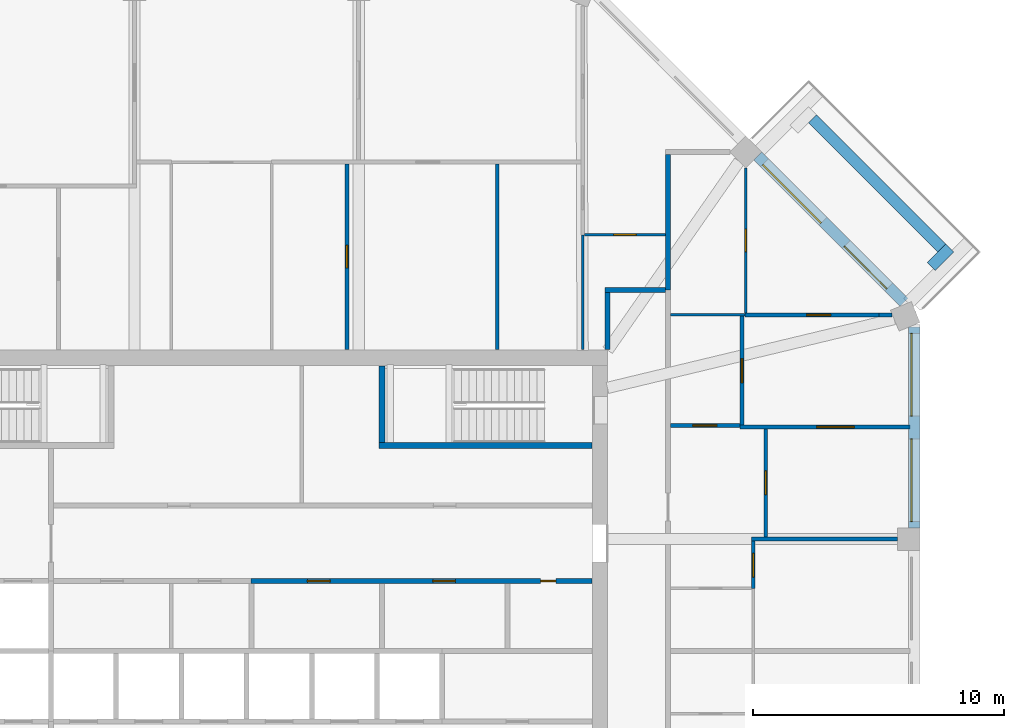
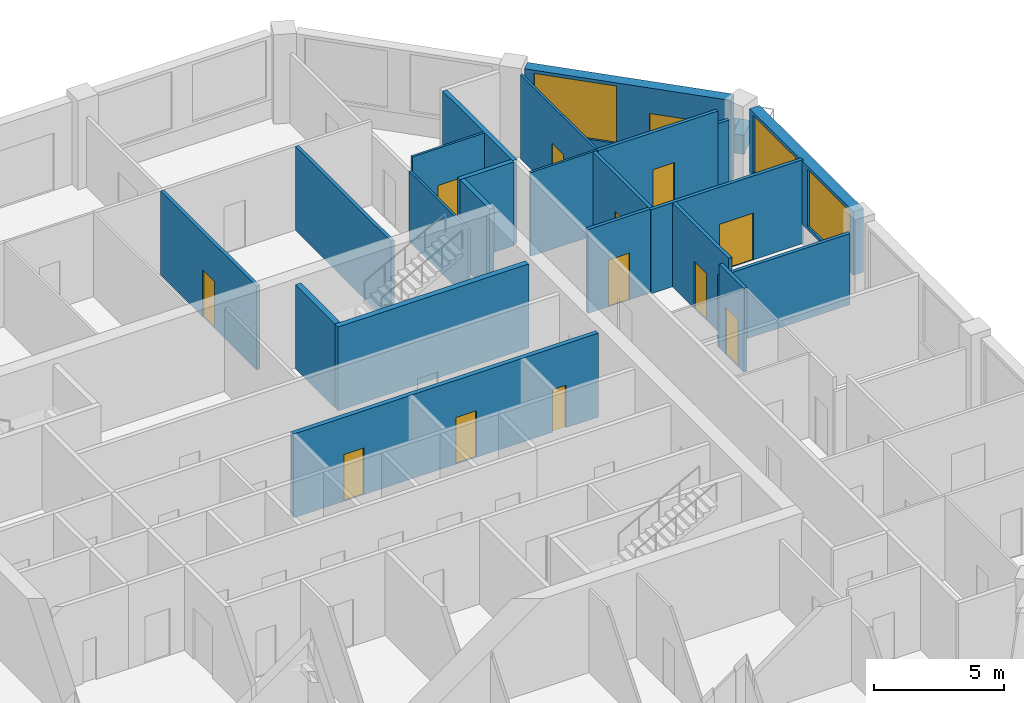
# One storey, part 9 of 11: 24 walls, 13 doors, 3 windows, 16 openings.
"""IFC4 building model written with IfcOpenShell, lengths in metres."""

from ifc_helpers import new_model, si_unit, direction, frame, frame_2d, origin, place, context, subcontext, project, spatial, rectangle, extrude, material, layer, layer_set, type_object, element, fill, save


model = new_model("IFC4")

# Units and contexts
model_context = context("Model", 3, precision=1e-05, world=origin(), true_north=direction((0.0, 1.0)))
body_context = subcontext(model_context, "Body", "Model", "MODEL_VIEW")
ifc_project = project(units=[si_unit("LENGTHUNIT", "METRE"), si_unit("AREAUNIT", "SQUARE_METRE"), si_unit("VOLUMEUNIT", "CUBIC_METRE"), si_unit("PLANEANGLEUNIT", "RADIAN"), si_unit("MASSUNIT", "GRAM", prefix="KILO")], contexts=[model_context])

# Site, building, storey
site_placement = place(None, origin())
site = spatial("IfcSite", under=ifc_project, at=site_placement, CompositionType="ELEMENT")
building_placement = place(site_placement, origin())
building = spatial("IfcBuilding", under=site, at=building_placement, Name="Msitu Wima Residences", CompositionType="ELEMENT")
storey_placement = place(building_placement, frame((0.0, 0.0, 268.5)))
storey = spatial("IfcBuildingStorey", under=building, at=storey_placement, Name="L62", CompositionType="ELEMENT", Elevation=268.5)

# Walls
ifc_material_1 = material(Name="Facing brick")
ifc_layer_1 = layer(ifc_material_1, 0.06494140625, Name="Facing brick")
ifc_material_2 = material(Name="Concrete C40/50", Category="concrete")
ifc_layer_2 = layer(ifc_material_2, 0.156005859375, Name="Concrete C40/50")
ifc_material_3 = material(Name="Waterproofing membrane")
ifc_layer_3 = layer(ifc_material_3, 0.00390625, Name="Waterproofing membrane")
ifc_material_4 = material(Name="Planting soil and planting")
ifc_layer_4 = layer(ifc_material_4, 0.22509765625, Name="Planting soil and planting")
ifc_layer_set_1 = layer_set([ifc_layer_1, ifc_layer_2, ifc_layer_3, ifc_layer_4], Name="Concrete C40/50")
wall_type_1 = type_object("IfcWallType", Name="Balcony planter PLANTER PL450", PredefinedType="USERDEFINED", material=ifc_layer_set_1)
wall_1_placement = place(storey_placement, frame((27.725830078125, 16.0751953125, 0.0), z_axis=(0.0, 0.0, 1.0), x_axis=(-0.707106781187, 0.707106781187, 0.0)))
element("IfcWall", 1, at=wall_1_placement, inside=storey, type_object=wall_type_1, Name="Balcony planter NE0 L62", ObjectType="PLANTER", PredefinedType="USERDEFINED", context=body_context, shape_type="SweptSolid", body=[
    extrude(rectangle(XDim=7.288330078125, YDim=0.449951171875, at=frame_2d((3.64404296875, 0.0))), origin(), (0.0, 0.0, 1.0), 0.89990234375),
])
wall_2_placement = place(storey_placement, frame((27.301513671875, 15.332763671875, 0.0), z_axis=(0.0, 0.0, 1.0), x_axis=(0.707106781187, 0.707106781187, 0.0)))
element("IfcWall", 2, at=wall_2_placement, inside=storey, type_object=wall_type_1, Name="Balcony planter NE0 L62", ObjectType="PLANTER", PredefinedType="USERDEFINED", context=body_context, shape_type="SweptSolid", body=[
    extrude(rectangle(XDim=1.050048828125, YDim=0.449951171875, at=frame_2d((0.52490234375, 0.0))), origin(), (0.0, 0.0, 1.0), 0.89990234375),
])

# Wall, openings, windows
ifc_material_5 = material(Name="Brick (red buff mix)", Category="masonry")
ifc_layer_5 = layer(ifc_material_5, 0.449951171875)
ifc_layer_set_2 = layer_set([ifc_layer_5], Name="Brick (red buff mix)")
wall_type_2 = type_object("IfcWallType", Name="Brick infill wall BW450", PredefinedType="SOLIDWALL", material=ifc_layer_set_2)
wall_3_placement = place(storey_placement, frame((26.625, 4.918701171875, 0.89990234375), z_axis=(0.0, 0.0, 1.0), x_axis=(0.0, 1.0, 0.0)))
wall_3 = element("IfcWall", 3, at=wall_3_placement, inside=storey, type_object=wall_type_2, Name="Brick infill wall L62 E2", PredefinedType="SOLIDWALL", context=body_context, shape_type="SweptSolid", body=[
    extrude(rectangle(XDim=8.0, YDim=0.449951171875, at=frame_2d((4.0, 0.0))), origin(), (0.0, 0.0, 1.0), 3.0),
])
opening_1_placement = place(wall_3_placement, frame((0.25, 0.0, 0.14990234375)))
opening_1 = element("IfcOpeningElement", 4, at=opening_1_placement, cuts=wall_3, Name="Opening W60-62.004", PredefinedType="OPENING", context=body_context, shape_type="SweptSolid", body=[
    extrude(rectangle(XDim=3.300048828125, YDim=2.699951171875, at=frame_2d((1.64990234375, 1.35009765625))), frame((0.0, 0.23486328125, 0.0), z_axis=(0.0, -1.0, 0.0), x_axis=(1.0, 0.0, 0.0)), (0.0, 0.0, 1.0), 0.469970703125),
])
opening_2_placement = place(wall_3_placement, frame((4.4501953125, 0.0, 0.14990234375)))
opening_2 = element("IfcOpeningElement", 5, at=opening_2_placement, cuts=wall_3, Name="Opening W60-62.005", PredefinedType="OPENING", context=body_context, shape_type="SweptSolid", body=[
    extrude(rectangle(XDim=3.300048828125, YDim=2.699951171875, at=frame_2d((1.64990234375, 1.35009765625))), frame((0.0, 0.23486328125, 0.0), z_axis=(0.0, -1.0, 0.0), x_axis=(1.0, 0.0, 0.0)), (0.0, 0.0, 1.0), 0.469970703125),
])
ifc_material_6 = material(Name="Anodised aluminium, bronze finish, clear low-emissivity double glazing", Category="aluminium")
window_type = type_object("IfcWindowType", Name="Window W3300x2700", PartitioningType="DOUBLE_PANEL_VERTICAL", PredefinedType="WINDOW", material=ifc_material_6)
window_1_placement = place(opening_1_placement, origin())
window_1 = element("IfcWindow", 6, at=window_1_placement, inside=storey, type_object=window_type, Name="Window L62 E2.1", OverallHeight=2.699951171875, OverallWidth=3.300048828125, PartitioningType="SINGLE_PANEL", PredefinedType="WINDOW", context=body_context, shape_type="SweptSolid", body=[
    extrude(rectangle(XDim=3.300048828125, YDim=2.699951171875, at=frame_2d((1.64990234375, 1.35009765625))), frame((0.0, 0.135009765625, 0.0), z_axis=(0.0, -1.0, 0.0), x_axis=(1.0, 0.0, 0.0)), (0.0, 0.0, 1.0), 0.06005859375),
])
fill(opening_1, window_1)
window_2_placement = place(opening_2_placement, origin())
window_2 = element("IfcWindow", 7, at=window_2_placement, inside=storey, type_object=window_type, Name="Window L62 E2.2", OverallHeight=2.699951171875, OverallWidth=3.300048828125, PartitioningType="SINGLE_PANEL", PredefinedType="WINDOW", context=body_context, shape_type="SweptSolid", body=[
    extrude(rectangle(XDim=3.300048828125, YDim=2.699951171875, at=frame_2d((1.64990234375, 1.35009765625))), frame((0.0, 0.135009765625, 0.0), z_axis=(0.0, -1.0, 0.0), x_axis=(1.0, 0.0, 0.0)), (0.0, 0.0, 1.0), 0.06005859375),
])
fill(opening_2, window_2)

# Wall, openings, door, window
wall_4_placement = place(storey_placement, frame((26.214599609375, 13.909423828125, 0.0), z_axis=(0.0, 0.0, 1.0), x_axis=(-0.707106781187, 0.707106781187, 0.0)))
wall_4 = element("IfcWall", 8, at=wall_4_placement, inside=storey, type_object=wall_type_2, Name="Brick infill wall L62 NE0", PredefinedType="SOLIDWALL", context=body_context, shape_type="SweptSolid", body=[
    extrude(rectangle(XDim=8.251220703125, YDim=0.449951171875, at=frame_2d((4.12548828125, 0.0))), origin(), (0.0, 0.0, 1.0), 3.89990234375),
])
opening_3_placement = place(wall_4_placement, frame((0.86279296875, 0.0, 0.0)))
opening_3 = element("IfcOpeningElement", 9, at=opening_3_placement, cuts=wall_4, Name="Opening D60-62.003", PredefinedType="OPENING", context=body_context, shape_type="SweptSolid", body=[
    extrude(rectangle(XDim=2.39990234375, YDim=2.699951171875, at=frame_2d((1.199951171875, 1.35009765625))), frame((0.0, 0.23486328125, 0.0), z_axis=(0.0, -1.0, 0.0), x_axis=(1.0, 0.0, 0.0)), (0.0, 0.0, 1.0), 0.469970703125),
])
opening_4_placement = place(wall_4_placement, frame((4.57568359375, 0.0, 1.050048828125)))
opening_4 = element("IfcOpeningElement", 10, at=opening_4_placement, cuts=wall_4, Name="Opening W60-62.011", PredefinedType="OPENING", context=body_context, shape_type="SweptSolid", body=[
    extrude(rectangle(XDim=3.300048828125, YDim=2.699951171875, at=frame_2d((1.64990234375, 1.35009765625))), frame((0.0, 0.23486328125, 0.0), z_axis=(0.0, -1.0, 0.0), x_axis=(1.0, 0.0, 0.0)), (0.0, 0.0, 1.0), 0.469970703125),
])
door_type_1 = type_object("IfcDoorType", Name="Balcony door D2400x2700", OperationType="SLIDING_TO_LEFT", PredefinedType="DOOR", material=ifc_material_6)
door_1_placement = place(opening_3_placement, origin())
door_1 = element("IfcDoor", 11, at=door_1_placement, inside=storey, type_object=door_type_1, Name="Balcony door L62 NE0", OperationType="SINGLE_SWING_LEFT", OverallHeight=2.699951171875, OverallWidth=2.39990234375, PredefinedType="DOOR", context=body_context, shape_type="SweptSolid", body=[
    extrude(rectangle(XDim=2.39990234375, YDim=2.699951171875, at=frame_2d((1.199951171875, 1.35009765625))), frame((0.0, 0.1298828125, 0.0), z_axis=(0.0, -1.0, 0.0), x_axis=(1.0, 0.0, 0.0)), (0.0, 0.0, 1.0), 0.050048828125),
])
fill(opening_3, door_1)
window_3_placement = place(opening_4_placement, origin())
window_3 = element("IfcWindow", 12, at=window_3_placement, inside=storey, type_object=window_type, Name="Window L62 NE0.2", OverallHeight=2.699951171875, OverallWidth=3.300048828125, PartitioningType="SINGLE_PANEL", PredefinedType="WINDOW", context=body_context, shape_type="SweptSolid", body=[
    extrude(rectangle(XDim=3.300048828125, YDim=2.699951171875, at=frame_2d((1.64990234375, 1.35009765625))), frame((0.0, 0.135009765625, 0.0), z_axis=(0.0, -1.0, 0.0), x_axis=(1.0, 0.0, 0.0)), (0.0, 0.0, 1.0), 0.06005859375),
])
fill(opening_4, window_3)

# Walls
ifc_material_7 = material(Name="Plaster")
ifc_layer_6 = layer(ifc_material_7, 0.011962890625, Name="Plaster")
ifc_material_8 = material(Name="Concrete blockwork", Category="masonry")
ifc_layer_7 = layer(ifc_material_8, 0.176025390625, Name="Concrete blockwork")
ifc_layer_8 = layer(ifc_material_7, 0.011962890625, Name="Plaster")
ifc_layer_set_3 = layer_set([ifc_layer_6, ifc_layer_7, ifc_layer_8], Name="Concrete blockwork")
wall_type_3 = type_object("IfcWallType", Name="Corridor wall FW200", PredefinedType="PARTITIONING", material=ifc_layer_set_3)
wall_5_placement = place(storey_placement, frame((14.39990234375, 12.030029296875, 0.0), z_axis=(0.0, 0.0, 1.0), x_axis=(0.0, 1.0, 0.0)))
element("IfcWall", 13, at=wall_5_placement, inside=storey, type_object=wall_type_3, Name="Corridor wall", PredefinedType="PARTITIONING", context=body_context, shape_type="SweptSolid", body=[
    extrude(rectangle(XDim=2.27001953125, YDim=0.199951171875, at=frame_2d((1.135009765625, 0.0))), origin(), (0.0, 0.0, 1.0), 3.949951171875),
])
wall_6_placement = place(storey_placement, frame((14.300048828125, 14.39990234375, 0.0), z_axis=(0.0, 0.0, 1.0), x_axis=(1.0, 0.0, 0.0)))
element("IfcWall", 14, at=wall_6_placement, inside=storey, type_object=wall_type_3, Name="Corridor wall", PredefinedType="PARTITIONING", context=body_context, shape_type="SweptSolid", body=[
    extrude(rectangle(XDim=2.39990234375, YDim=0.199951171875, at=frame_2d((1.199951171875, 0.0))), origin(), (0.0, 0.0, 1.0), 3.949951171875),
])

# Wall, opening, door
ifc_layer_9 = layer(ifc_material_7, 0.011962890625, Name="Plaster")
ifc_layer_10 = layer(ifc_material_8, 0.1259765625, Name="Concrete blockwork")
ifc_layer_11 = layer(ifc_material_7, 0.011962890625, Name="Plaster")
ifc_layer_set_4 = layer_set([ifc_layer_9, ifc_layer_10, ifc_layer_11], Name="Concrete blockwork")
wall_type_4 = type_object("IfcWallType", Name="Partition PW150", PredefinedType="PARTITIONING", material=ifc_layer_set_4)
wall_7_placement = place(storey_placement, frame((4.0, 12.030029296875, 0.0), z_axis=(0.0, 0.0, 1.0), x_axis=(0.0, 1.0, 0.0)))
wall_7 = element("IfcWall", 15, at=wall_7_placement, inside=storey, type_object=wall_type_4, Name="Partition", PredefinedType="PARTITIONING", context=body_context, shape_type="SweptSolid", body=[
    extrude(rectangle(XDim=7.39501953125, YDim=0.14990234375, at=frame_2d((3.697509765625, 0.0))), origin(), (0.0, 0.0, 1.0), 3.949951171875),
])
opening_5_placement = place(wall_7_placement, frame((3.25, 0.0, 0.0)))
opening_5 = element("IfcOpeningElement", 16, at=opening_5_placement, cuts=wall_7, Name="Opening D60-62.029", PredefinedType="OPENING", context=body_context, shape_type="SweptSolid", body=[
    extrude(rectangle(XDim=0.89990234375, YDim=2.199951171875, at=frame_2d((0.449951171875, 1.10009765625))), frame((0.0, 0.0849609375, 0.0), z_axis=(0.0, -1.0, 0.0), x_axis=(1.0, 0.0, 0.0)), (0.0, 0.0, 1.0), 0.169921875),
])
ifc_material_9 = material(Name="Timber flush door", Category="wood")
door_type_2 = type_object("IfcDoorType", Name="Service door D05 900x2200", OperationType="SINGLE_SWING_LEFT", PredefinedType="DOOR", material=ifc_material_9)
door_2_placement = place(opening_5_placement, origin())
door_2 = element("IfcDoor", 17, at=door_2_placement, inside=storey, type_object=door_type_2, Name="Service door", OperationType="SINGLE_SWING_LEFT", OverallHeight=2.199951171875, OverallWidth=0.89990234375, PredefinedType="DOOR", context=body_context, shape_type="SweptSolid", body=[
    extrude(rectangle(XDim=0.89990234375, YDim=2.199951171875, at=frame_2d((0.449951171875, 1.10009765625))), frame((0.0, 0.02490234375, 0.0), z_axis=(0.0, -1.0, 0.0), x_axis=(1.0, 0.0, 0.0)), (0.0, 0.0, 1.0), 0.050048828125),
])
fill(opening_5, door_2)

# Wall
wall_8_placement = place(storey_placement, frame((10.0, 12.030029296875, 0.0), z_axis=(0.0, 0.0, 1.0), x_axis=(0.0, 1.0, 0.0)))
element("IfcWall", 18, at=wall_8_placement, inside=storey, type_object=wall_type_4, Name="Partition", PredefinedType="PARTITIONING", context=body_context, shape_type="SweptSolid", body=[
    extrude(rectangle(XDim=7.39501953125, YDim=0.14990234375, at=frame_2d((3.697509765625, 0.0))), origin(), (0.0, 0.0, 1.0), 3.949951171875),
])

# Wall, opening, door
wall_9_placement = place(storey_placement, frame((16.89990234375, 9.0, 0.0), z_axis=(0.0, 0.0, 1.0), x_axis=(1.0, 0.0, 0.0)))
wall_9 = element("IfcWall", 19, at=wall_9_placement, inside=storey, type_object=wall_type_4, Name="Partition", PredefinedType="PARTITIONING", context=body_context, shape_type="SweptSolid", body=[
    extrude(rectangle(XDim=2.775146484375, YDim=0.14990234375, at=frame_2d((1.3876953125, 0.0))), origin(), (0.0, 0.0, 1.0), 3.949951171875),
])
opening_6_placement = place(wall_9_placement, frame((0.89990234375, 0.0, 0.0)))
opening_6 = element("IfcOpeningElement", 20, at=opening_6_placement, cuts=wall_9, Name="Opening D60-62.019", PredefinedType="OPENING", context=body_context, shape_type="SweptSolid", body=[
    extrude(rectangle(XDim=0.949951171875, YDim=2.199951171875, at=frame_2d((0.47509765625, 1.10009765625))), frame((0.0, 0.0849609375, 0.0), z_axis=(0.0, -1.0, 0.0), x_axis=(1.0, 0.0, 0.0)), (0.0, 0.0, 1.0), 0.169921875),
])
door_type_3 = type_object("IfcDoorType", Name="Room door D12 950x2200", OperationType="SINGLE_SWING_LEFT", PredefinedType="DOOR", material=ifc_material_9)
door_3_placement = place(opening_6_placement, origin())
door_3 = element("IfcDoor", 21, at=door_3_placement, inside=storey, type_object=door_type_3, Name="Room door", OperationType="SINGLE_SWING_LEFT", OverallHeight=2.199951171875, OverallWidth=0.949951171875, PredefinedType="DOOR", context=body_context, shape_type="SweptSolid", body=[
    extrude(rectangle(XDim=0.949951171875, YDim=2.199951171875, at=frame_2d((0.47509765625, 1.10009765625))), frame((0.0, 0.02490234375, 0.0), z_axis=(0.0, -1.0, 0.0), x_axis=(1.0, 0.0, 0.0)), (0.0, 0.0, 1.0), 0.050048828125),
])
fill(opening_6, door_3)

wall_10_placement = place(storey_placement, frame((19.75, 9.01220703125, 0.0), z_axis=(0.0, 0.0, 1.0), x_axis=(0.0, 1.0, 0.0)))
wall_10 = element("IfcWall", 22, at=wall_10_placement, inside=storey, type_object=wall_type_4, Name="Partition", PredefinedType="PARTITIONING", context=body_context, shape_type="SweptSolid", body=[
    extrude(rectangle(XDim=4.34375, YDim=0.14990234375, at=frame_2d((2.171875, 0.0))), origin(), (0.0, 0.0, 1.0), 3.949951171875),
])
opening_7_placement = place(wall_10_placement, frame((1.699951171875, 0.0, 0.0)))
opening_7 = element("IfcOpeningElement", 23, at=opening_7_placement, cuts=wall_10, Name="Opening D60-62.025", PredefinedType="OPENING", context=body_context, shape_type="SweptSolid", body=[
    extrude(rectangle(XDim=0.949951171875, YDim=2.199951171875, at=frame_2d((0.47509765625, 1.10009765625))), frame((0.0, 0.0849609375, 0.0), z_axis=(0.0, -1.0, 0.0), x_axis=(1.0, 0.0, 0.0)), (0.0, 0.0, 1.0), 0.169921875),
])
door_4_placement = place(opening_7_placement, origin())
door_4 = element("IfcDoor", 24, at=door_4_placement, inside=storey, type_object=door_type_3, Name="Room door", OperationType="SINGLE_SWING_LEFT", OverallHeight=2.199951171875, OverallWidth=0.949951171875, PredefinedType="DOOR", context=body_context, shape_type="SweptSolid", body=[
    extrude(rectangle(XDim=0.949951171875, YDim=2.199951171875, at=frame_2d((0.47509765625, 1.10009765625))), frame((0.0, 0.02490234375, 0.0), z_axis=(0.0, -1.0, 0.0), x_axis=(1.0, 0.0, 0.0)), (0.0, 0.0, 1.0), 0.050048828125),
])
fill(opening_7, door_4)

wall_11_placement = place(storey_placement, frame((19.675048828125, 8.937255859375, 0.0), z_axis=(0.0, 0.0, 1.0), x_axis=(1.0, 0.0, 0.0)))
wall_11 = element("IfcWall", 25, at=wall_11_placement, inside=storey, type_object=wall_type_4, Name="Partition", PredefinedType="PARTITIONING", context=body_context, shape_type="SweptSolid", body=[
    extrude(rectangle(XDim=6.780029296875, YDim=0.14990234375, at=frame_2d((3.39013671875, 0.0))), origin(), (0.0, 0.0, 1.0), 3.949951171875),
])
opening_8_placement = place(wall_11_placement, frame((3.050048828125, 0.0, 0.0)))
opening_8 = element("IfcOpeningElement", 26, at=opening_8_placement, cuts=wall_11, Name="Opening D60-62.022", PredefinedType="OPENING", context=body_context, shape_type="SweptSolid", body=[
    extrude(rectangle(XDim=1.5, YDim=2.199951171875, at=frame_2d((0.75, 1.10009765625))), frame((0.0, 0.0849609375, 0.0), z_axis=(0.0, -1.0, 0.0), x_axis=(1.0, 0.0, 0.0)), (0.0, 0.0, 1.0), 0.169921875),
])
ifc_material_10 = material(Name="Timber double door", Category="wood")
door_type_4 = type_object("IfcDoorType", Name="Double door D04 1500x2200", OperationType="DOUBLE_DOOR_SINGLE_SWING", PredefinedType="DOOR", material=ifc_material_10)
door_5_placement = place(opening_8_placement, origin())
door_5 = element("IfcDoor", 27, at=door_5_placement, inside=storey, type_object=door_type_4, Name="Double door", OperationType="DOUBLE_DOOR_SINGLE_SWING", OverallHeight=2.199951171875, OverallWidth=1.5, PredefinedType="DOOR", context=body_context, shape_type="SweptSolid", body=[
    extrude(rectangle(XDim=1.5, YDim=2.199951171875, at=frame_2d((0.75, 1.10009765625))), frame((0.0, 0.02490234375, 0.0), z_axis=(0.0, -1.0, 0.0), x_axis=(1.0, 0.0, 0.0)), (0.0, 0.0, 1.0), 0.050048828125),
])
fill(opening_8, door_5)

wall_12_placement = place(storey_placement, frame((19.883056640625, 13.406005859375, 0.0), z_axis=(0.0, 0.0, 1.0), x_axis=(1.0, 0.0, 0.0)))
wall_12 = element("IfcWall", 28, at=wall_12_placement, inside=storey, type_object=wall_type_4, Name="Partition", PredefinedType="PARTITIONING", context=body_context, shape_type="SweptSolid", body=[
    extrude(rectangle(XDim=5.341064453125, YDim=0.14990234375, at=frame_2d((2.67041015625, 0.0))), origin(), (0.0, 0.0, 1.0), 3.949951171875),
])
opening_9_placement = place(wall_12_placement, frame((2.449951171875, 0.0, 0.0)))
opening_9 = element("IfcOpeningElement", 29, at=opening_9_placement, cuts=wall_12, Name="Opening D60-62.023", PredefinedType="OPENING", context=body_context, shape_type="SweptSolid", body=[
    extrude(rectangle(XDim=0.949951171875, YDim=2.199951171875, at=frame_2d((0.47509765625, 1.10009765625))), frame((0.0, 0.0849609375, 0.0), z_axis=(0.0, -1.0, 0.0), x_axis=(1.0, 0.0, 0.0)), (0.0, 0.0, 1.0), 0.169921875),
])
door_6_placement = place(opening_9_placement, origin())
door_6 = element("IfcDoor", 30, at=door_6_placement, inside=storey, type_object=door_type_3, Name="Room door", OperationType="SINGLE_SWING_RIGHT", OverallHeight=2.199951171875, OverallWidth=0.949951171875, PredefinedType="DOOR", context=body_context, shape_type="SweptSolid", body=[
    extrude(rectangle(XDim=0.949951171875, YDim=2.199951171875, at=frame_2d((0.47509765625, 1.10009765625))), frame((0.0, 0.02490234375, 0.0), z_axis=(0.0, -1.0, 0.0), x_axis=(1.0, 0.0, 0.0)), (0.0, 0.0, 1.0), 0.050048828125),
])
fill(opening_9, door_6)

# Wall
wall_13_placement = place(storey_placement, frame((25.22412109375, 13.406005859375, 0.0), z_axis=(0.0, 0.0, 1.0), x_axis=(1.0, 0.0, 0.0)))
element("IfcWall", 31, at=wall_13_placement, inside=storey, type_object=wall_type_4, Name="Partition", PredefinedType="PARTITIONING", context=body_context, shape_type="SweptSolid", body=[
    extrude(rectangle(XDim=0.507080078125, YDim=0.14990234375, at=frame_2d((0.25341796875, 0.0))), origin(), (0.0, 0.0, 1.0), 3.35009765625),
])

# Wall, opening, door
wall_14_placement = place(storey_placement, frame((20.199951171875, 2.5, 0.0), z_axis=(0.0, 0.0, 1.0), x_axis=(0.0, 1.0, 0.0)))
wall_14 = element("IfcWall", 32, at=wall_14_placement, inside=storey, type_object=wall_type_4, Name="Partition", PredefinedType="PARTITIONING", context=body_context, shape_type="SweptSolid", body=[
    extrude(rectangle(XDim=1.8935546875, YDim=0.14990234375, at=frame_2d((0.94677734375, 0.0))), origin(), (0.0, 0.0, 1.0), 3.949951171875),
])
opening_10_placement = place(wall_14_placement, frame((0.449951171875, 0.0, 0.0)))
opening_10 = element("IfcOpeningElement", 33, at=opening_10_placement, cuts=wall_14, Name="Opening D60-62.020", PredefinedType="OPENING", context=body_context, shape_type="SweptSolid", body=[
    extrude(rectangle(XDim=0.949951171875, YDim=2.199951171875, at=frame_2d((0.47509765625, 1.10009765625))), frame((0.0, 0.0849609375, 0.0), z_axis=(0.0, -1.0, 0.0), x_axis=(1.0, 0.0, 0.0)), (0.0, 0.0, 1.0), 0.169921875),
])
door_7_placement = place(opening_10_placement, origin())
door_7 = element("IfcDoor", 34, at=door_7_placement, inside=storey, type_object=door_type_3, Name="Room door", OperationType="SINGLE_SWING_LEFT", OverallHeight=2.199951171875, OverallWidth=0.949951171875, PredefinedType="DOOR", context=body_context, shape_type="SweptSolid", body=[
    extrude(rectangle(XDim=0.949951171875, YDim=2.199951171875, at=frame_2d((0.47509765625, 1.10009765625))), frame((0.0, 0.02490234375, 0.0), z_axis=(0.0, -1.0, 0.0), x_axis=(1.0, 0.0, 0.0)), (0.0, 0.0, 1.0), 0.050048828125),
])
fill(opening_10, door_7)

# Wall
wall_15_placement = place(storey_placement, frame((20.125, 4.46875, 0.0), z_axis=(0.0, 0.0, 1.0), x_axis=(1.0, 0.0, 0.0)))
element("IfcWall", 35, at=wall_15_placement, inside=storey, type_object=wall_type_4, Name="Partition", PredefinedType="PARTITIONING", context=body_context, shape_type="SweptSolid", body=[
    extrude(rectangle(XDim=5.824951171875, YDim=0.14990234375, at=frame_2d((2.91259765625, 0.0))), origin(), (0.0, 0.0, 1.0), 3.35009765625),
])

# Wall, opening, door
wall_16_placement = place(storey_placement, frame((20.699951171875, 4.543701171875, 0.0), z_axis=(0.0, 0.0, 1.0), x_axis=(0.0, 1.0, 0.0)))
wall_16 = element("IfcWall", 36, at=wall_16_placement, inside=storey, type_object=wall_type_4, Name="Partition", PredefinedType="PARTITIONING", context=body_context, shape_type="SweptSolid", body=[
    extrude(rectangle(XDim=4.318603515625, YDim=0.14990234375, at=frame_2d((2.1591796875, 0.0))), origin(), (0.0, 0.0, 1.0), 3.949951171875),
])
opening_11_placement = place(wall_16_placement, frame((1.699951171875, 0.0, 0.0)))
opening_11 = element("IfcOpeningElement", 37, at=opening_11_placement, cuts=wall_16, Name="Opening D60-62.021", PredefinedType="OPENING", context=body_context, shape_type="SweptSolid", body=[
    extrude(rectangle(XDim=0.949951171875, YDim=2.199951171875, at=frame_2d((0.47509765625, 1.10009765625))), frame((0.0, 0.0849609375, 0.0), z_axis=(0.0, -1.0, 0.0), x_axis=(1.0, 0.0, 0.0)), (0.0, 0.0, 1.0), 0.169921875),
])
door_8_placement = place(opening_11_placement, origin())
door_8 = element("IfcDoor", 38, at=door_8_placement, inside=storey, type_object=door_type_3, Name="Room door", OperationType="SINGLE_SWING_LEFT", OverallHeight=2.199951171875, OverallWidth=0.949951171875, PredefinedType="DOOR", context=body_context, shape_type="SweptSolid", body=[
    extrude(rectangle(XDim=0.949951171875, YDim=2.199951171875, at=frame_2d((0.47509765625, 1.10009765625))), frame((0.0, 0.02490234375, 0.0), z_axis=(0.0, -1.0, 0.0), x_axis=(1.0, 0.0, 0.0)), (0.0, 0.0, 1.0), 0.050048828125),
])
fill(opening_11, door_8)

# Wall
ifc_layer_12 = layer(ifc_material_7, 0.011962890625, Name="Plaster")
ifc_material_11 = material(Name="Dense concrete blockwork", Category="masonry")
ifc_layer_13 = layer(ifc_material_11, 0.176025390625, Name="Dense concrete blockwork")
ifc_layer_14 = layer(ifc_material_7, 0.011962890625, Name="Plaster")
ifc_layer_set_5 = layer_set([ifc_layer_12, ifc_layer_13, ifc_layer_14], Name="Dense concrete blockwork")
wall_type_5 = type_object("IfcWallType", Name="Party wall PW200", PredefinedType="PARTITIONING", material=ifc_layer_set_5)
wall_17_placement = place(storey_placement, frame((16.800048828125, 14.39990234375, 0.0), z_axis=(0.0, 0.0, 1.0), x_axis=(0.0, 1.0, 0.0)))
element("IfcWall", 39, at=wall_17_placement, inside=storey, type_object=wall_type_5, Name="Party wall", PredefinedType="PARTITIONING", context=body_context, shape_type="SweptSolid", body=[
    extrude(rectangle(XDim=5.403076171875, YDim=0.199951171875, at=frame_2d((2.70166015625, 0.0))), origin(), (0.0, 0.0, 1.0), 3.949951171875),
])

# Wall, openings, doors
ifc_layer_15 = layer(ifc_material_7, 0.011962890625, Name="Plaster")
ifc_material_12 = material(Name="Reinforced concrete blockwork", Category="masonry")
ifc_layer_16 = layer(ifc_material_12, 0.176025390625, Name="Reinforced concrete blockwork")
ifc_layer_17 = layer(ifc_material_7, 0.011962890625, Name="Plaster")
ifc_layer_set_6 = layer_set([ifc_layer_15, ifc_layer_16, ifc_layer_17], Name="Reinforced concrete blockwork")
wall_type_6 = type_object("IfcWallType", Name="Plant and riser wall PL200", PredefinedType="PARTITIONING", material=ifc_layer_set_6)
wall_18_placement = place(storey_placement, frame((0.179931640625, 2.800048828125, 0.0), z_axis=(0.0, 0.0, 1.0), x_axis=(1.0, 0.0, 0.0)))
wall_18 = element("IfcWall", 40, at=wall_18_placement, inside=storey, type_object=wall_type_6, Name="Plant and riser wall", PredefinedType="PARTITIONING", context=body_context, shape_type="SweptSolid", body=[
    extrude(rectangle(XDim=13.590087890625, YDim=0.199951171875, at=frame_2d((6.794921875, 0.0))), origin(), (0.0, 0.0, 1.0), 3.949951171875),
])
opening_12_placement = place(wall_18_placement, frame((11.550048828125, 0.0, 0.0)))
opening_12 = element("IfcOpeningElement", 41, at=opening_12_placement, cuts=wall_18, Name="Opening D60-62.083", PredefinedType="OPENING", context=body_context, shape_type="SweptSolid", body=[
    extrude(rectangle(XDim=0.60009765625, YDim=2.0, at=frame_2d((0.300048828125, 1.0))), frame((0.0, 0.10986328125, 0.0), z_axis=(0.0, -1.0, 0.0), x_axis=(1.0, 0.0, 0.0)), (0.0, 0.0, 1.0), 0.219970703125),
])
opening_13_placement = place(wall_18_placement, frame((2.25, 0.0, 0.0)))
opening_13 = element("IfcOpeningElement", 42, at=opening_13_placement, cuts=wall_18, Name="Opening D60-62.081", PredefinedType="OPENING", context=body_context, shape_type="SweptSolid", body=[
    extrude(rectangle(XDim=0.89990234375, YDim=2.199951171875, at=frame_2d((0.449951171875, 1.10009765625))), frame((0.0, 0.10986328125, 0.0), z_axis=(0.0, -1.0, 0.0), x_axis=(1.0, 0.0, 0.0)), (0.0, 0.0, 1.0), 0.219970703125),
])
opening_14_placement = place(wall_18_placement, frame((7.25, 0.0, 0.0)))
opening_14 = element("IfcOpeningElement", 43, at=opening_14_placement, cuts=wall_18, Name="Opening D60-62.082", PredefinedType="OPENING", context=body_context, shape_type="SweptSolid", body=[
    extrude(rectangle(XDim=0.89990234375, YDim=2.199951171875, at=frame_2d((0.449951171875, 1.10009765625))), frame((0.0, 0.10986328125, 0.0), z_axis=(0.0, -1.0, 0.0), x_axis=(1.0, 0.0, 0.0)), (0.0, 0.0, 1.0), 0.219970703125),
])
ifc_material_13 = material(Name="Steel access door, fire resisting", Category="steel")
door_type_5 = type_object("IfcDoorType", Name="Riser access door D08 600x2000", OperationType="SINGLE_SWING_LEFT", PredefinedType="DOOR", material=ifc_material_13)
door_9_placement = place(opening_12_placement, origin())
door_9 = element("IfcDoor", 44, at=door_9_placement, inside=storey, type_object=door_type_5, Name="Riser access door", OperationType="SINGLE_SWING_RIGHT", OverallHeight=2.0, OverallWidth=0.60009765625, PredefinedType="DOOR", context=body_context, shape_type="SweptSolid", body=[
    extrude(rectangle(XDim=0.60009765625, YDim=2.0, at=frame_2d((0.300048828125, 1.0))), frame((0.0, 0.02490234375, 0.0), z_axis=(0.0, -1.0, 0.0), x_axis=(1.0, 0.0, 0.0)), (0.0, 0.0, 1.0), 0.050048828125),
])
fill(opening_12, door_9)
door_10_placement = place(opening_13_placement, origin())
door_10 = element("IfcDoor", 45, at=door_10_placement, inside=storey, type_object=door_type_2, Name="Service door", OperationType="SINGLE_SWING_LEFT", OverallHeight=2.199951171875, OverallWidth=0.89990234375, PredefinedType="DOOR", context=body_context, shape_type="SweptSolid", body=[
    extrude(rectangle(XDim=0.89990234375, YDim=2.199951171875, at=frame_2d((0.449951171875, 1.10009765625))), frame((0.0, 0.02490234375, 0.0), z_axis=(0.0, -1.0, 0.0), x_axis=(1.0, 0.0, 0.0)), (0.0, 0.0, 1.0), 0.050048828125),
])
fill(opening_13, door_10)
door_11_placement = place(opening_14_placement, origin())
door_11 = element("IfcDoor", 46, at=door_11_placement, inside=storey, type_object=door_type_2, Name="Service door", OperationType="SINGLE_SWING_RIGHT", OverallHeight=2.199951171875, OverallWidth=0.89990234375, PredefinedType="DOOR", context=body_context, shape_type="SweptSolid", body=[
    extrude(rectangle(XDim=0.89990234375, YDim=2.199951171875, at=frame_2d((0.449951171875, 1.10009765625))), frame((0.0, 0.02490234375, 0.0), z_axis=(0.0, -1.0, 0.0), x_axis=(1.0, 0.0, 0.0)), (0.0, 0.0, 1.0), 0.050048828125),
])
fill(opening_14, door_11)

# Walls
ifc_material_14 = material(Name="Concrete C50/60", Category="concrete")
ifc_layer_18 = layer(ifc_material_14, 0.25)
ifc_layer_set_7 = layer_set([ifc_layer_18], Name="Concrete C50/60")
wall_type_7 = type_object("IfcWallType", Name="Stair enclosure wall SW250", PredefinedType="SHEAR", material=ifc_layer_set_7)
wall_19_placement = place(storey_placement, frame((5.39990234375, 8.324951171875, 0.0), z_axis=(0.0, 0.0, 1.0), x_axis=(0.0, 1.0, 0.0)))
element("IfcWall", 47, at=wall_19_placement, inside=storey, type_object=wall_type_7, Name="Stair enclosure wall", PredefinedType="SHEAR", context=body_context, shape_type="SweptSolid", body=[
    extrude(rectangle(XDim=3.045166015625, YDim=0.25, at=frame_2d((1.5224609375, 0.0))), origin(), (0.0, 0.0, 1.0), 3.949951171875),
])
wall_20_placement = place(storey_placement, frame((5.27490234375, 8.199951171875, 0.0), z_axis=(0.0, 0.0, 1.0), x_axis=(1.0, 0.0, 0.0)))
element("IfcWall", 48, at=wall_20_placement, inside=storey, type_object=wall_type_7, Name="Stair enclosure wall", PredefinedType="SHEAR", context=body_context, shape_type="SweptSolid", body=[
    extrude(rectangle(XDim=8.4951171875, YDim=0.25, at=frame_2d((4.24755859375, 0.0))), origin(), (0.0, 0.0, 1.0), 3.949951171875),
])
ifc_material_15 = material(Name="Ceramic tiles")
ifc_layer_19 = layer(ifc_material_15, 0.008056640625, Name="Ceramic tiles")
ifc_material_16 = material(Name="Moisture-resistant board")
ifc_layer_20 = layer(ifc_material_16, 0.012451171875, Name="Moisture-resistant board")
ifc_material_17 = material(Name="Light-gauge stud framing with mineral wool")
ifc_layer_21 = layer(ifc_material_17, 0.06689453125, Name="Light-gauge stud framing with mineral wool")
ifc_layer_22 = layer(ifc_material_16, 0.012451171875, Name="Moisture-resistant board")
ifc_layer_set_8 = layer_set([ifc_layer_19, ifc_layer_20, ifc_layer_21, ifc_layer_22], Name="Light-gauge stud framing with mineral wool")
wall_type_8 = type_object("IfcWallType", Name="Wet wall PW100", PredefinedType="PARTITIONING", material=ifc_layer_set_8)
wall_21_placement = place(storey_placement, frame((13.406005859375, 12.030029296875, 0.0), z_axis=(0.0, 0.0, 1.0), x_axis=(0.0, 1.0, 0.0)))
element("IfcWall", 49, at=wall_21_placement, inside=storey, type_object=wall_type_8, Name="Wet wall", PredefinedType="PARTITIONING", context=body_context, shape_type="SweptSolid", body=[
    extrude(rectangle(XDim=4.570068359375, YDim=0.10009765625, at=frame_2d((2.28515625, 0.0))), origin(), (0.0, 0.0, 1.0), 3.300048828125),
])

# Wall, opening, door
wall_22_placement = place(storey_placement, frame((13.48095703125, 16.60009765625, 0.0), z_axis=(0.0, 0.0, 1.0), x_axis=(1.0, 0.0, 0.0)))
wall_22 = element("IfcWall", 50, at=wall_22_placement, inside=storey, type_object=wall_type_8, Name="Wet wall", PredefinedType="PARTITIONING", context=body_context, shape_type="SweptSolid", body=[
    extrude(rectangle(XDim=3.218994140625, YDim=0.10009765625, at=frame_2d((1.609375, 0.0))), origin(), (0.0, 0.0, 1.0), 3.949951171875),
])
opening_15_placement = place(wall_22_placement, frame((1.14990234375, 0.0, 0.0)))
opening_15 = element("IfcOpeningElement", 51, at=opening_15_placement, cuts=wall_22, Name="Opening D60-62.030", PredefinedType="OPENING", context=body_context, shape_type="SweptSolid", body=[
    extrude(rectangle(XDim=0.89990234375, YDim=2.199951171875, at=frame_2d((0.449951171875, 1.10009765625))), frame((0.0, 0.06005859375, 0.0), z_axis=(0.0, -1.0, 0.0), x_axis=(1.0, 0.0, 0.0)), (0.0, 0.0, 1.0), 0.1201171875),
])
ifc_material_18 = material(Name="Timber flush door, moisture resistant", Category="wood")
door_type_6 = type_object("IfcDoorType", Name="Bathroom door D03 900x2200", OperationType="SINGLE_SWING_LEFT", PredefinedType="DOOR", material=ifc_material_18)
door_12_placement = place(opening_15_placement, origin())
door_12 = element("IfcDoor", 52, at=door_12_placement, inside=storey, type_object=door_type_6, Name="Bathroom door", OperationType="SINGLE_SWING_LEFT", OverallHeight=2.199951171875, OverallWidth=0.89990234375, PredefinedType="DOOR", context=body_context, shape_type="SweptSolid", body=[
    extrude(rectangle(XDim=0.89990234375, YDim=2.199951171875, at=frame_2d((0.449951171875, 1.10009765625))), frame((0.0, 0.02490234375, 0.0), z_axis=(0.0, -1.0, 0.0), x_axis=(1.0, 0.0, 0.0)), (0.0, 0.0, 1.0), 0.050048828125),
])
fill(opening_15, door_12)

# Wall
wall_23_placement = place(storey_placement, frame((16.89990234375, 13.406005859375, 0.0), z_axis=(0.0, 0.0, 1.0), x_axis=(1.0, 0.0, 0.0)))
element("IfcWall", 53, at=wall_23_placement, inside=storey, type_object=wall_type_8, Name="Wet wall", PredefinedType="PARTITIONING", context=body_context, shape_type="SweptSolid", body=[
    extrude(rectangle(XDim=2.983154296875, YDim=0.10009765625, at=frame_2d((1.49169921875, 0.0))), origin(), (0.0, 0.0, 1.0), 3.949951171875),
])

# Wall, opening, door
wall_24_placement = place(storey_placement, frame((19.90283203125, 13.48095703125, 0.0), z_axis=(0.0, 0.0, 1.0), x_axis=(0.0, 1.0, 0.0)))
wall_24 = element("IfcWall", 54, at=wall_24_placement, inside=storey, type_object=wall_type_8, Name="Wet wall", PredefinedType="PARTITIONING", context=body_context, shape_type="SweptSolid", body=[
    extrude(rectangle(XDim=5.78564453125, YDim=0.10009765625, at=frame_2d((2.892822265625, 0.0))), origin(), (0.0, 0.0, 1.0), 3.949951171875),
])
opening_16_placement = place(wall_24_placement, frame((2.449951171875, 0.0, 0.0)))
opening_16 = element("IfcOpeningElement", 55, at=opening_16_placement, cuts=wall_24, Name="Opening D60-62.024", PredefinedType="OPENING", context=body_context, shape_type="SweptSolid", body=[
    extrude(rectangle(XDim=0.89990234375, YDim=2.199951171875, at=frame_2d((0.449951171875, 1.10009765625))), frame((0.0, 0.06005859375, 0.0), z_axis=(0.0, -1.0, 0.0), x_axis=(1.0, 0.0, 0.0)), (0.0, 0.0, 1.0), 0.1201171875),
])
door_13_placement = place(opening_16_placement, origin())
door_13 = element("IfcDoor", 56, at=door_13_placement, inside=storey, type_object=door_type_6, Name="Bathroom door", OperationType="SINGLE_SWING_LEFT", OverallHeight=2.199951171875, OverallWidth=0.89990234375, PredefinedType="DOOR", context=body_context, shape_type="SweptSolid", body=[
    extrude(rectangle(XDim=0.89990234375, YDim=2.199951171875, at=frame_2d((0.449951171875, 1.10009765625))), frame((0.0, 0.02490234375, 0.0), z_axis=(0.0, -1.0, 0.0), x_axis=(1.0, 0.0, 0.0)), (0.0, 0.0, 1.0), 0.050048828125),
])
fill(opening_16, door_13)

save(model, "model.ifc")
